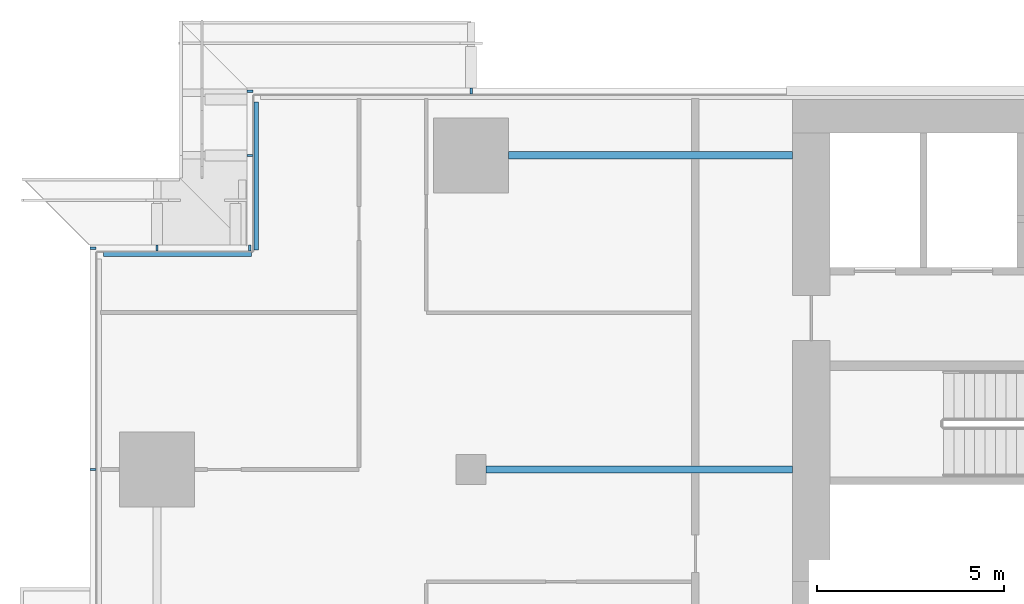
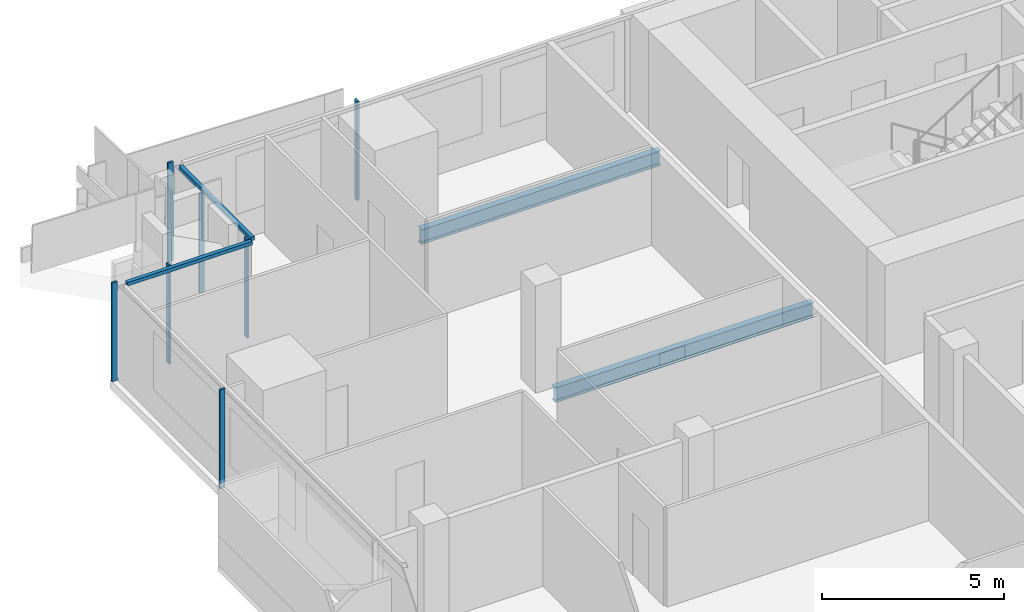
# One storey, part 8 of 29: 9 members, 2 beams, 4 elements without a shape of their own.
"""IFC4 building model written with IfcOpenShell, lengths in metres."""

import ifcopenshell
import ifcopenshell.guid

model = None  # the IFC model being written
_history = None  # IfcOwnerHistory: only IFC2X3 demands one
_inside = {}  # id of a spatial element -> (the spatial element, [elements in it])
_under = {}  # id of a project, library or spatial element -> (it, [spatial elements below it])
_declared = {}  # id of a project -> (the project, [libraries it declares])
_typed = {}  # id of a type object -> (the type object, [elements of that type])
_made_of = {}  # id of a material, layer set ... -> (it, [elements and type objects made of it])


def new_model(schema):
    """Start an empty IFC model of exactly this schema.

    Asked for "IFC4X3", IfcOpenShell would pick the latest addendum, in which some entities
    have other attributes; the version numbers below select the first issue.
    IFC2X3 requires an IfcOwnerHistory on every rooted entity: one is made here for all.
    """
    global model, _history
    if schema == "IFC4X3":
        model = ifcopenshell.file(schema_version=(4, 3, 0, 0))
    else:
        model = ifcopenshell.file(schema=schema)
    _inside.clear()
    _under.clear()
    _declared.clear()
    _typed.clear()
    _made_of.clear()
    _history = None
    if model.schema == "IFC2X3":
        org = make("IfcOrganization", Name="unknown")
        user = make(
            "IfcPersonAndOrganization",
            ThePerson=make("IfcPerson", FamilyName="unknown"),
            TheOrganization=org,
        )
        app = make(
            "IfcApplication",
            ApplicationDeveloper=org,
            Version="unknown",
            ApplicationFullName="unknown",
            ApplicationIdentifier="unknown",
        )
        _history = make(
            "IfcOwnerHistory",
            OwningUser=user,
            OwningApplication=app,
            ChangeAction="ADDED",
            CreationDate=0,
        )
    return model


def make(cls, **values):
    """One entity of the class cls with the attributes given. An attribute that is None is left unset."""
    return model.create_entity(
        cls, **{name: value for name, value in values.items() if value is not None}
    )


def rooted(cls, **values):
    """An entity with a GlobalId (a new one), such as an element, a storey or a relation."""
    return make(cls, GlobalId=ifcopenshell.guid.new(), OwnerHistory=_history, **values)


def si_unit(unit_type, name, prefix=None):
    """IfcSIUnit, for example si_unit("LENGTHUNIT", "METRE", prefix="MILLI")."""
    return make("IfcSIUnit", UnitType=unit_type, Prefix=prefix, Name=name)


def assignment(units):
    """IfcUnitAssignment: the units of a project."""
    return None if units is None else make("IfcUnitAssignment", Units=units)


def point(xyz):
    """IfcCartesianPoint."""
    return None if xyz is None else make("IfcCartesianPoint", Coordinates=xyz)


def direction(xyz):
    """IfcDirection."""
    return None if xyz is None else make("IfcDirection", DirectionRatios=xyz)


def frame(location, z_axis=None, x_axis=None):
    """IfcAxis2Placement3D, a coordinate frame: its origin and axes. An axis left out is left unset."""
    return make(
        "IfcAxis2Placement3D",
        Location=point(location),
        Axis=direction(z_axis),
        RefDirection=direction(x_axis),
    )


def frame_2d(location, x_axis=None):
    """IfcAxis2Placement2D, a coordinate frame in the plane: its origin and x axis."""
    return make(
        "IfcAxis2Placement2D", Location=point(location), RefDirection=direction(x_axis)
    )


def origin():
    """The frame at (0, 0, 0) with its axes left unset."""
    return frame((0.0, 0.0, 0.0))


def origin_2d():
    """The frame at (0, 0) in the plane with its x axis left unset."""
    return frame_2d((0.0, 0.0))


def place(relative_to, where):
    """IfcLocalPlacement: puts the frame where relative to a parent placement (None: the world)."""
    return make(
        "IfcLocalPlacement", PlacementRelTo=relative_to, RelativePlacement=where
    )


def context(
    kind, dimensions, precision=None, world=None, true_north=None, identifier=None
):
    """IfcGeometricRepresentationContext, for example the 3D "Model" context."""
    return make(
        "IfcGeometricRepresentationContext",
        ContextIdentifier=identifier,
        ContextType=kind,
        CoordinateSpaceDimension=dimensions,
        Precision=precision,
        WorldCoordinateSystem=world,
        TrueNorth=true_north,
    )


def subcontext(parent, identifier, kind, view, scale=None):
    """IfcGeometricRepresentationSubContext, for example "Body" below "Model"."""
    return make(
        "IfcGeometricRepresentationSubContext",
        ContextIdentifier=identifier,
        ContextType=kind,
        ParentContext=parent,
        TargetScale=scale,
        TargetView=view,
    )


def project(units=None, contexts=None):
    """IfcProject with its units and contexts."""
    return rooted(
        "IfcProject",
        Name="project",
        RepresentationContexts=contexts,
        UnitsInContext=assignment(units),
    )


def spatial(cls, under=None, at=None, **own):
    """A site, building, storey or space (cls), placed at a placement, below another one or the project."""
    s = rooted(cls, ObjectPlacement=at, **own)
    if under is not None:
        _under.setdefault(under.id(), (under, []))[1].append(s)
    return s


def profile(cls, at=None, kind="AREA", **sizes):
    """A parametric profile (cls). Its sizes go by their IFC names, for example OverallWidth=200.0."""
    return make(cls, ProfileType=kind, Position=at, **sizes)


def rectangle(**sizes):
    """IfcRectangleProfileDef."""
    return profile("IfcRectangleProfileDef", **sizes)


def i_section(**sizes):
    """IfcIShapeProfileDef."""
    return profile("IfcIShapeProfileDef", **sizes)


def extrude(swept, where, along, depth):
    """IfcExtrudedAreaSolid: the profile swept, set in the frame where, extruded along a direction by depth."""
    return make(
        "IfcExtrudedAreaSolid",
        SweptArea=swept,
        Position=where,
        ExtrudedDirection=direction(along),
        Depth=depth,
    )


def shape(context_of_items, identifier, shape_type, items):
    """IfcShapeRepresentation: the items that make up one representation, for example the "Body"."""
    return make(
        "IfcShapeRepresentation",
        ContextOfItems=context_of_items,
        RepresentationIdentifier=identifier,
        RepresentationType=shape_type,
        Items=items,
    )


def material(Name=None, Category=None):
    """IfcMaterial."""
    return make("IfcMaterial", Name=Name, Category=Category)


def material_profile(
    of_material, cross_section, Name=None, Category=None, Priority=None
):
    """IfcMaterialProfile: a cross section and its material."""
    return make(
        "IfcMaterialProfile",
        Name=Name,
        Material=of_material,
        Profile=cross_section,
        Priority=Priority,
        Category=Category,
    )


def profile_set(profiles, Name=None, composite=None):
    """IfcMaterialProfileSet."""
    return make(
        "IfcMaterialProfileSet",
        Name=Name,
        MaterialProfiles=profiles,
        CompositeProfile=composite,
    )


def made_of(thing, what):
    """Note that an element or type object is made of a material, layer set ...; save() writes the relation."""
    if what is not None:
        _made_of.setdefault(what.id(), (what, []))[1].append(thing)
    return thing


def type_object(cls, material=None, **own):
    """A type object (cls), such as IfcWallType, which elements share."""
    return made_of(rooted(cls, **own), material)


def element(
    cls,
    number,
    at=None,
    inside=None,
    cuts=None,
    type_object=None,
    material=None,
    context=None,
    identifier="Body",
    shape_type=None,
    held_by="IfcProductDefinitionShape",
    body=None,
    shapes=None,
    **own,
):
    """One element of the class cls, such as IfcWall. Its Tag is "e" and its number.

    at: its placement. inside: the storey or other place that contains it. cuts: it is an
    opening in that element (IfcRelVoidsElement). A single representation is given by context,
    identifier, shape_type and body (its items); several are given by shapes. held_by: the class
    of the entity that holds the representations. save() writes the other relations.
    """
    e = rooted(cls, Tag="e%d" % number, ObjectPlacement=at, **own)
    if body is not None:
        shapes = [shape(context, identifier, shape_type, body)]
    if shapes is not None:
        e.Representation = make(held_by, Representations=shapes)
    if inside is not None:
        _inside.setdefault(inside.id(), (inside, []))[1].append(e)
    if cuts is not None:
        rooted(
            "IfcRelVoidsElement", RelatingBuildingElement=cuts, RelatedOpeningElement=e
        )
    if type_object is not None:
        _typed.setdefault(type_object.id(), (type_object, []))[1].append(e)
    return made_of(e, material)


def aggregate(whole, parts):
    """IfcRelAggregates: a whole, such as a stair, and the parts it consists of."""
    return rooted("IfcRelAggregates", RelatingObject=whole, RelatedObjects=parts)


def save(model, path):
    """Write the relations noted so far, then the file.

    IfcRelAggregates (storeys below a building ...), IfcRelContainedInSpatialStructure (elements
    in a storey), IfcRelDefinesByType, IfcRelAssociatesMaterial and IfcRelDeclares: one each for
    every whole, place, type object, material and project.
    """
    for whole, parts in _under.values():
        aggregate(whole, parts)
    for where, things in _inside.values():
        rooted(
            "IfcRelContainedInSpatialStructure",
            RelatedElements=things,
            RelatingStructure=where,
        )
    for kind, things in _typed.values():
        rooted("IfcRelDefinesByType", RelatedObjects=things, RelatingType=kind)
    for what, things in _made_of.values():
        rooted("IfcRelAssociatesMaterial", RelatedObjects=things, RelatingMaterial=what)
    for by, libraries in _declared.values():
        rooted("IfcRelDeclares", RelatingContext=by, RelatedDefinitions=libraries)
    model.write(path)


model = new_model("IFC4")

# Units and contexts
model_context = context("Model", 3, precision=1e-05, world=origin(), true_north=direction((0.0, 1.0)))
body_context = subcontext(model_context, "Body", "Model", "MODEL_VIEW")
ifc_project = project(units=[si_unit("LENGTHUNIT", "METRE"), si_unit("AREAUNIT", "SQUARE_METRE"), si_unit("VOLUMEUNIT", "CUBIC_METRE"), si_unit("PLANEANGLEUNIT", "RADIAN"), si_unit("MASSUNIT", "GRAM", prefix="KILO")], contexts=[model_context])

# Site, building, storey
site_placement = place(None, origin())
site = spatial("IfcSite", under=ifc_project, at=site_placement, CompositionType="ELEMENT")
building_placement = place(site_placement, origin())
building = spatial("IfcBuilding", under=site, at=building_placement, Name="Saffron Gate Tower", CompositionType="ELEMENT")
storey_placement = place(building_placement, frame((0.0, 0.0, 106.050048828125)))
storey = spatial("IfcBuildingStorey", under=building, at=storey_placement, Name="L24", CompositionType="ELEMENT", Elevation=106.050048828125)

# Beams
ifc_material_1 = material(Name="Structural steel S355", Category="steel")
ifc_material_profile_1 = material_profile(ifc_material_1, i_section(OverallWidth=0.199951171875, OverallDepth=0.5, WebThickness=0.01025390625, FlangeThickness=0.01611328125, FilletRadius=0.02099609375, at=origin_2d()))
ifc_profile_set_1 = profile_set([ifc_material_profile_1], Name="Structural steel S355")
beam_type = type_object("IfcBeamType", Name="B10 IPE 500", PredefinedType="BEAM", material=ifc_profile_set_1)
beam_1_placement = place(storey_placement, frame((58.60009765625, 65.39990234375, -0.530029296875), z_axis=(1.0, 0.0, 0.0), x_axis=(0.0, 1.0, 0.0)))
element("IfcBeam", 1, at=beam_1_placement, inside=storey, type_object=beam_type, Name="B10 CORE TIE BEAM", PredefinedType="BEAM", context=body_context, shape_type="SweptSolid", body=[
    extrude(i_section(OverallWidth=0.199951171875, OverallDepth=0.5, WebThickness=0.01025390625, FlangeThickness=0.01611328125, FilletRadius=0.02099609375, at=origin_2d()), origin(), (0.0, 0.0, 1.0), 8.199951171875),
])
beam_2_placement = place(storey_placement, frame((59.199951171875, 73.800048828125, -0.530029296875), z_axis=(1.0, 0.0, 0.0), x_axis=(0.0, 1.0, 0.0)))
element("IfcBeam", 2, at=beam_2_placement, inside=storey, type_object=beam_type, Name="B10 CORE TIE BEAM", PredefinedType="BEAM", context=body_context, shape_type="SweptSolid", body=[
    extrude(i_section(OverallWidth=0.199951171875, OverallDepth=0.5, WebThickness=0.01025390625, FlangeThickness=0.01611328125, FilletRadius=0.02099609375, at=origin_2d()), origin(), (0.0, 0.0, 1.0), 7.60009765625),
])

# Curtain wall, members
ifc_material_2 = material(Name="Aluminium, bronze anodised", Category="aluminium")
curtain_wall_type_1 = type_object("IfcCurtainWallType", Name="CWS2 curtain wall side facades", PredefinedType="NOTDEFINED", material=ifc_material_2)
curtain_wall_1_placement = place(storey_placement, origin())
curtain_wall_1 = element("IfcCurtainWall", 3, at=curtain_wall_1_placement, inside=storey, type_object=curtain_wall_type_1, Name="CWS2 run 10", PredefinedType="NOTDEFINED")
ifc_material_profile_2 = material_profile(ifc_material_2, rectangle(XDim=0.159912109375, YDim=0.06005859375, at=origin_2d()))
ifc_profile_set_2 = profile_set([ifc_material_profile_2], Name="Aluminium, bronze anodised")
member_type_1 = type_object("IfcMemberType", Name="CWS2 mullion 60x160", PredefinedType="MULLION", material=ifc_profile_set_2)
member_1_placement = place(storey_placement, frame((48.080078125, 71.320068359375, 0.0), z_axis=(0.0, 0.0, 1.0), x_axis=(1.0, 0.0, 0.0)))
member_1 = element("IfcMember", 4, at=member_1_placement, type_object=member_type_1, Name="CWS2 mullion 1", PredefinedType="MULLION", context=body_context, shape_type="SweptSolid", body=[
    extrude(rectangle(XDim=0.159912109375, YDim=0.06005859375, at=origin_2d()), origin(), (0.0, 0.0, 1.0), 3.320068359375),
])
member_2_placement = place(storey_placement, frame((48.080078125, 65.39990234375, 0.0), z_axis=(0.0, 0.0, 1.0), x_axis=(1.0, 0.0, 0.0)))
member_2 = element("IfcMember", 5, at=member_2_placement, type_object=member_type_1, Name="CWS2 mullion 2", PredefinedType="MULLION", context=body_context, shape_type="SweptSolid", body=[
    extrude(rectangle(XDim=0.159912109375, YDim=0.06005859375, at=origin_2d()), origin(), (0.0, 0.0, 1.0), 3.320068359375),
])
aggregate(curtain_wall_1, [member_1, member_2])

# Curtain wall, member
curtain_wall_type_2 = type_object("IfcCurtainWallType", Name="CWS3 curtain wall rear facade", PredefinedType="NOTDEFINED", material=ifc_material_2)
curtain_wall_2_placement = place(storey_placement, origin())
curtain_wall_2 = element("IfcCurtainWall", 6, at=curtain_wall_2_placement, inside=storey, type_object=curtain_wall_type_2, Name="CWS3 run 7", PredefinedType="NOTDEFINED")
ifc_material_profile_3 = material_profile(ifc_material_2, rectangle(XDim=0.159912109375, YDim=0.070068359375, at=origin_2d()))
ifc_profile_set_3 = profile_set([ifc_material_profile_3], Name="Aluminium, bronze anodised")
member_type_2 = type_object("IfcMemberType", Name="CWS3 mullion 70x160", PredefinedType="MULLION", material=ifc_profile_set_3)
member_3_placement = place(storey_placement, frame((58.199951171875, 75.52001953125, 0.0), z_axis=(0.0, 0.0, 1.0), x_axis=(0.0, -1.0, 0.0)))
member_3 = element("IfcMember", 7, at=member_3_placement, type_object=member_type_2, Name="CWS3 mullion 9", PredefinedType="MULLION", context=body_context, shape_type="SweptSolid", body=[
    extrude(rectangle(XDim=0.159912109375, YDim=0.070068359375, at=origin_2d()), origin(), (0.0, 0.0, 1.0), 3.320068359375),
])
aggregate(curtain_wall_2, [member_3])

curtain_wall_type_3 = type_object("IfcCurtainWallType", Name="CWS4 curtain wall corner returns", PredefinedType="NOTDEFINED", material=ifc_material_2)
curtain_wall_3_placement = place(storey_placement, origin())
curtain_wall_3 = element("IfcCurtainWall", 8, at=curtain_wall_3_placement, inside=storey, type_object=curtain_wall_type_3, Name="CWS4 run 8", PredefinedType="NOTDEFINED")
ifc_material_profile_4 = material_profile(ifc_material_2, rectangle(XDim=0.1201171875, YDim=0.1201171875, at=origin_2d()))
ifc_profile_set_4 = profile_set([ifc_material_profile_4], Name="Aluminium, bronze anodised")
member_type_3 = type_object("IfcMemberType", Name="CWS4 head transom", PredefinedType="USERDEFINED", material=ifc_profile_set_4)
member_4_placement = place(storey_placement, frame((52.447998046875, 75.23193359375, 3.260009765625), z_axis=(0.0, -1.0, 0.0), x_axis=(1.0, 0.0, 0.0)))
member_4 = element("IfcMember", 9, at=member_4_placement, type_object=member_type_3, Name="CWS4 head transom", ObjectType="TRANSOM", PredefinedType="USERDEFINED", context=body_context, shape_type="SweptSolid", body=[
    extrude(rectangle(XDim=0.1201171875, YDim=0.1201171875, at=origin_2d()), origin(), (0.0, 0.0, 1.0), 3.9599609375),
])

curtain_wall_4_placement = place(storey_placement, origin())
curtain_wall_4 = element("IfcCurtainWall", 10, at=curtain_wall_4_placement, inside=storey, type_object=curtain_wall_type_3, Name="CWS4 run 9", PredefinedType="NOTDEFINED")
member_5_placement = place(storey_placement, frame((52.327880859375, 71.152099609375, 3.260009765625), z_axis=(-1.0, 0.0, 0.0), x_axis=(0.0, -1.0, 0.0)))
member_5 = element("IfcMember", 11, at=member_5_placement, type_object=member_type_3, Name="CWS4 head transom", ObjectType="TRANSOM", PredefinedType="USERDEFINED", context=body_context, shape_type="SweptSolid", body=[
    extrude(rectangle(XDim=0.1201171875, YDim=0.1201171875, at=origin_2d()), origin(), (0.0, 0.0, 1.0), 3.9599609375),
])

# Member
ifc_material_profile_5 = material_profile(ifc_material_2, rectangle(XDim=0.159912109375, YDim=0.06005859375, at=origin_2d()))
ifc_profile_set_5 = profile_set([ifc_material_profile_5], Name="Aluminium, bronze anodised")
member_type_4 = type_object("IfcMemberType", Name="CWS4 mullion 60x160", PredefinedType="MULLION", material=ifc_profile_set_5)
member_6_placement = place(storey_placement, frame((52.280029296875, 75.52001953125, 0.0), z_axis=(0.0, 0.0, 1.0), x_axis=(1.0, 0.0, 0.0)))
member_6 = element("IfcMember", 12, at=member_6_placement, type_object=member_type_4, Name="CWS4 mullion 1", PredefinedType="MULLION", context=body_context, shape_type="SweptSolid", body=[
    extrude(rectangle(XDim=0.159912109375, YDim=0.06005859375, at=origin_2d()), origin(), (0.0, 0.0, 1.0), 3.320068359375),
])

member_7_placement = place(storey_placement, frame((52.280029296875, 73.800048828125, 0.0), z_axis=(0.0, 0.0, 1.0), x_axis=(1.0, 0.0, 0.0)))
member_7 = element("IfcMember", 13, at=member_7_placement, type_object=member_type_4, Name="CWS4 mullion 2", PredefinedType="MULLION", context=body_context, shape_type="SweptSolid", body=[
    extrude(rectangle(XDim=0.159912109375, YDim=0.06005859375, at=origin_2d()), origin(), (0.0, 0.0, 1.0), 3.320068359375),
])

aggregate(curtain_wall_3, [member_6, member_7, member_4])

member_8_placement = place(storey_placement, frame((52.280029296875, 71.320068359375, 0.0), z_axis=(0.0, 0.0, 1.0), x_axis=(0.0, -1.0, 0.0)))
member_8 = element("IfcMember", 14, at=member_8_placement, type_object=member_type_4, Name="CWS4 mullion 1", PredefinedType="MULLION", context=body_context, shape_type="SweptSolid", body=[
    extrude(rectangle(XDim=0.159912109375, YDim=0.06005859375, at=origin_2d()), origin(), (0.0, 0.0, 1.0), 3.320068359375),
])

member_9_placement = place(storey_placement, frame((49.800048828125, 71.320068359375, 0.0), z_axis=(0.0, 0.0, 1.0), x_axis=(0.0, -1.0, 0.0)))
member_9 = element("IfcMember", 15, at=member_9_placement, type_object=member_type_4, Name="CWS4 mullion 2", PredefinedType="MULLION", context=body_context, shape_type="SweptSolid", body=[
    extrude(rectangle(XDim=0.159912109375, YDim=0.06005859375, at=origin_2d()), origin(), (0.0, 0.0, 1.0), 3.320068359375),
])

aggregate(curtain_wall_4, [member_8, member_9, member_5])

save(model, "model.ifc")
